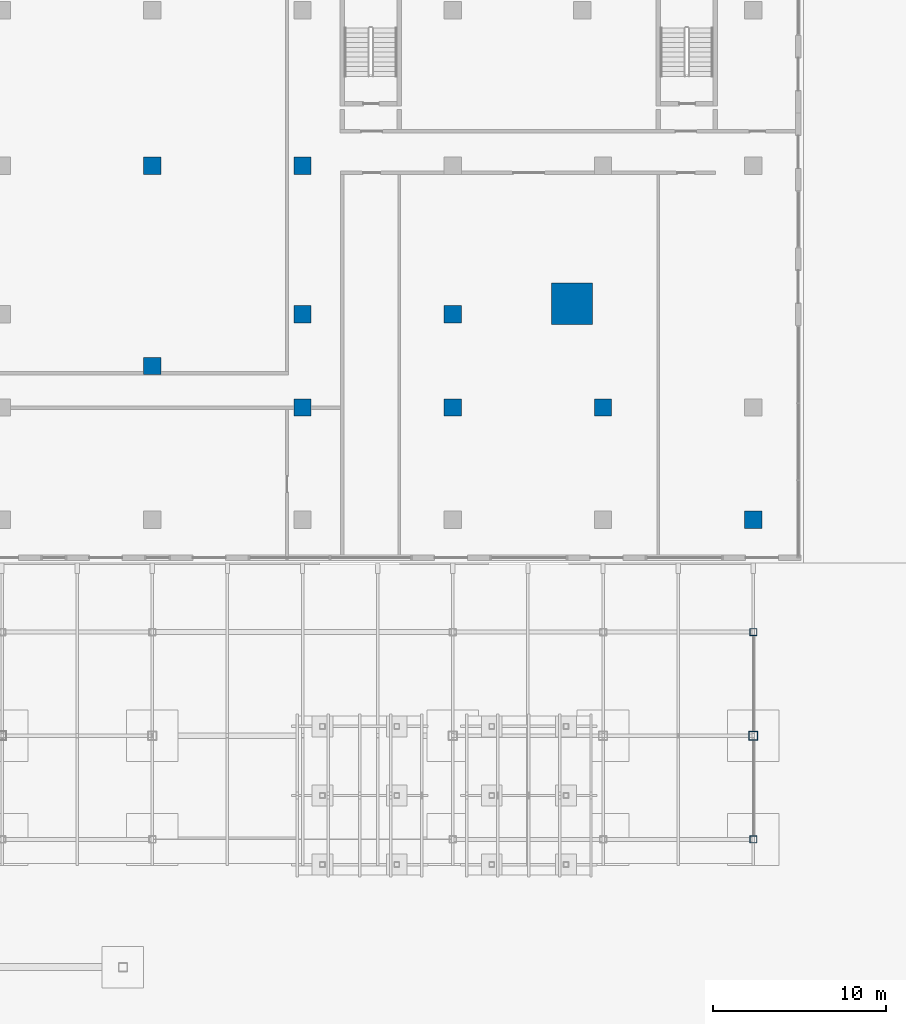
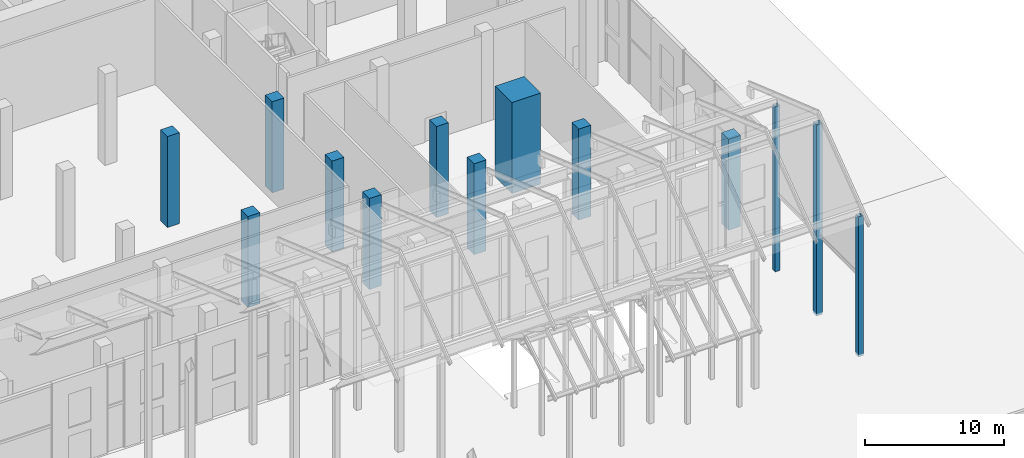
# One storey, part 6 of 31: 13 columns.
"""IFC4 building model written with IfcOpenShell, lengths in metres."""

from ifc_helpers import new_model, si_unit, direction, frame, origin, origin_2d, place, context, subcontext, project, spatial, rectangle, hollow_rectangle, extrude, material, material_profile, profile_set, type_object, element, save


model = new_model("IFC4")

# Units and contexts
model_context = context("Model", 3, precision=1e-05, world=origin(), true_north=direction((0.0, 1.0)))
body_context = subcontext(model_context, "Body", "Model", "MODEL_VIEW")
ifc_project = project(units=[si_unit("LENGTHUNIT", "METRE"), si_unit("AREAUNIT", "SQUARE_METRE"), si_unit("VOLUMEUNIT", "CUBIC_METRE"), si_unit("PLANEANGLEUNIT", "RADIAN"), si_unit("MASSUNIT", "GRAM", prefix="KILO")], contexts=[model_context])

# Site, building, storey
site_placement = place(None, origin())
site = spatial("IfcSite", under=ifc_project, at=site_placement, CompositionType="ELEMENT")
building_placement = place(site_placement, origin())
building = spatial("IfcBuilding", under=site, at=building_placement, Name="Bicima Exchange Tower", CompositionType="ELEMENT")
storey_placement = place(building_placement, origin())
storey = spatial("IfcBuildingStorey", under=building, at=storey_placement, Name="L00", CompositionType="ELEMENT", Elevation=0.0)

# Columns
ifc_material_1 = material(Name="Steel ASTM A572 Gr 50", Category="steel")
ifc_material_profile_1 = material_profile(ifc_material_1, hollow_rectangle(XDim=0.406494140625, YDim=0.406494140625, WallThickness=0.0146484375, at=origin_2d()))
ifc_profile_set_1 = profile_set([ifc_material_profile_1], Name="Steel ASTM A572 Gr 50")
column_type_1 = type_object("IfcColumnType", Name="Portico column HSS16x16x5/8", PredefinedType="COLUMN", material=ifc_profile_set_1)
column_1_placement = place(storey_placement, frame((43.5, -58.0, 0.0), z_axis=(0.0, 0.0, 1.0), x_axis=(1.0, 0.0, 0.0)))
element("IfcColumn", 1, at=column_1_placement, inside=storey, type_object=column_type_1, Name="Portico column", PredefinedType="COLUMN", context=body_context, shape_type="SweptSolid", body=[
    extrude(hollow_rectangle(XDim=0.406494140625, YDim=0.406494140625, WallThickness=0.0146484375, at=origin_2d()), origin(), (0.0, 0.0, 1.0), 14.504150390625),
])
column_2_placement = place(storey_placement, frame((43.5, -70.0, -0.199951171875), z_axis=(0.0, 0.0, 1.0), x_axis=(1.0, 0.0, 0.0)))
element("IfcColumn", 2, at=column_2_placement, inside=storey, type_object=column_type_1, Name="Portico column", PredefinedType="COLUMN", context=body_context, shape_type="SweptSolid", body=[
    extrude(hollow_rectangle(XDim=0.406494140625, YDim=0.406494140625, WallThickness=0.0146484375, at=origin_2d()), origin(), (0.0, 0.0, 1.0), 12.309326171875),
])
ifc_material_profile_2 = material_profile(ifc_material_1, hollow_rectangle(XDim=0.508056640625, YDim=0.508056640625, WallThickness=0.017822265625, at=origin_2d()))
ifc_profile_set_2 = profile_set([ifc_material_profile_2], Name="Steel ASTM A572 Gr 50")
column_type_2 = type_object("IfcColumnType", Name="Portico crown column HSS20x20x3/4", PredefinedType="COLUMN", material=ifc_profile_set_2)
column_3_placement = place(storey_placement, frame((43.5, -64.0, -0.199951171875), z_axis=(0.0, 0.0, 1.0), x_axis=(1.0, 0.0, 0.0)))
element("IfcColumn", 3, at=column_3_placement, inside=storey, type_object=column_type_2, Name="Portico column", PredefinedType="COLUMN", context=body_context, shape_type="SweptSolid", body=[
    extrude(hollow_rectangle(XDim=0.508056640625, YDim=0.508056640625, WallThickness=0.017822265625, at=origin_2d()), origin(), (0.0, 0.0, 1.0), 16.796142578125),
])
ifc_material_2 = material(Name="Concrete C60/75", Category="concrete")
ifc_material_profile_3 = material_profile(ifc_material_2, rectangle(XDim=2.39990234375, YDim=2.39990234375, at=origin_2d()))
ifc_profile_set_3 = profile_set([ifc_material_profile_3], Name="Concrete C60/75")
column_type_3 = type_object("IfcColumnType", Name="Reinforced concrete mega column 2400 x 2400", PredefinedType="COLUMN", material=ifc_profile_set_3)
column_4_placement = place(storey_placement, frame((33.0, -39.0, 0.0), z_axis=(0.0, 0.0, 1.0), x_axis=(1.0, 0.0, 0.0)))
element("IfcColumn", 4, at=column_4_placement, inside=storey, type_object=column_type_3, Name="Mega column", PredefinedType="COLUMN", context=body_context, shape_type="SweptSolid", body=[
    extrude(rectangle(XDim=2.39990234375, YDim=2.39990234375, at=origin_2d()), origin(), (0.0, 0.0, 1.0), 8.0),
])
ifc_material_profile_4 = material_profile(ifc_material_2, rectangle(XDim=1.0, YDim=1.0, at=origin_2d()))
ifc_profile_set_4 = profile_set([ifc_material_profile_4], Name="Concrete C60/75")
column_type_4 = type_object("IfcColumnType", Name="Reinforced concrete podium column 1000 x 1000", PredefinedType="COLUMN", material=ifc_profile_set_4)
for number, where, z_axis, x_axis, name in (
    (5, (8.699951171875, -42.591064453125, 0.0), (0.0, 0.0, 1.0), (1.0, 0.0, 0.0), "Column"),
    (6, (17.39990234375, -39.60009765625, 0.0), (0.0, 0.0, 1.0), (1.0, 0.0, 0.0), "Column"),
    (7, (26.10009765625, -39.60009765625, 0.0), (0.0, 0.0, 1.0), (1.0, 0.0, 0.0), "Column"),
    (8, (8.699951171875, -31.0, 0.0), (0.0, 0.0, 1.0), (1.0, 0.0, 0.0), "Column"),
    (9, (17.39990234375, -31.0, 0.0), (0.0, 0.0, 1.0), (1.0, 0.0, 0.0), "Column"),
    (10, (17.39990234375, -45.0, 0.0), (0.0, 0.0, 1.0), (1.0, 0.0, 0.0), "Column"),
    (11, (26.10009765625, -45.0, 0.0), (0.0, 0.0, 1.0), (1.0, 0.0, 0.0), "Column"),
    (12, (34.800048828125, -45.0, 0.0), (0.0, 0.0, 1.0), (1.0, 0.0, 0.0), "Column"),
    (13, (43.5, -51.5, 0.0), (0.0, 0.0, 1.0), (1.0, 0.0, 0.0), "Column"),
):
    element("IfcColumn", number, at=place(storey_placement, frame(where, z_axis=z_axis, x_axis=x_axis)), inside=storey, type_object=column_type_4, Name=name, PredefinedType="COLUMN", context=body_context, shape_type="SweptSolid", body=[
        extrude(rectangle(XDim=1.0, YDim=1.0, at=origin_2d()), origin(), (0.0, 0.0, 1.0), 8.0),
    ])

save(model, "model.ifc")
